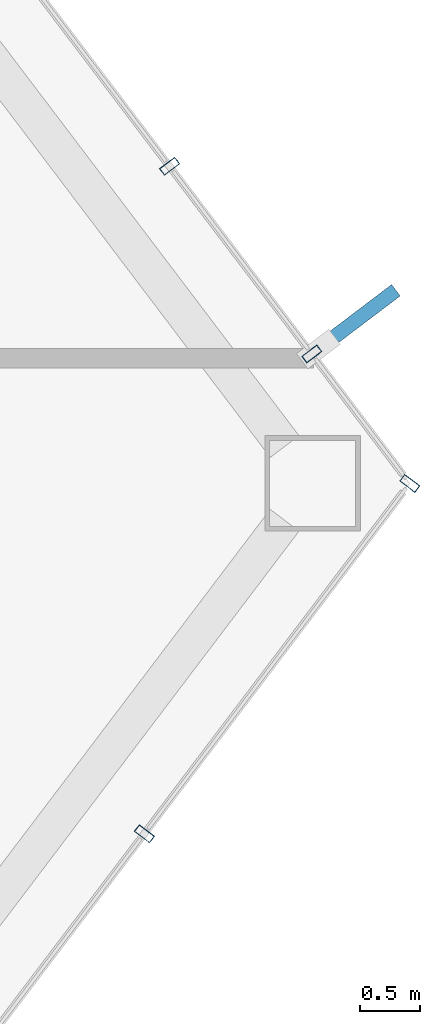
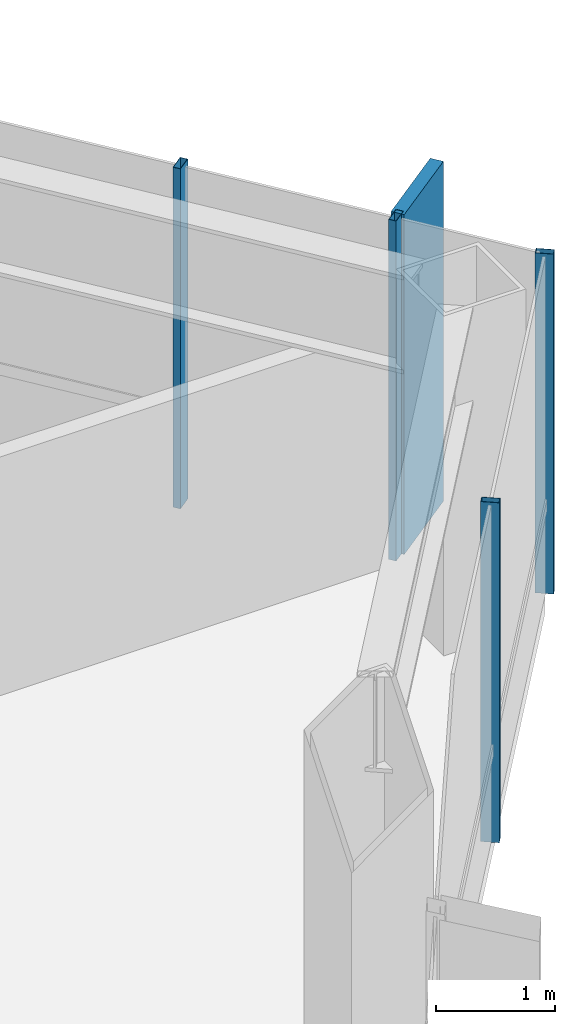
# One storey, part 21 of 28: 5 members, 2 elements without a shape of their own.
"""IFC4 building model written with IfcOpenShell, lengths in metres."""

from ifc_helpers import new_model, si_unit, direction, frame, origin, origin_2d, place, context, subcontext, project, spatial, rectangle, hollow_rectangle, extrude, material, layer, layer_set, material_profile, profile_set, type_object, element, aggregate, save


model = new_model("IFC4")

# Units and contexts
model_context = context("Model", 3, precision=1e-05, world=origin(), true_north=direction((0.0, 1.0)))
body_context = subcontext(model_context, "Body", "Model", "MODEL_VIEW")
ifc_project = project(units=[si_unit("LENGTHUNIT", "METRE"), si_unit("AREAUNIT", "SQUARE_METRE"), si_unit("VOLUMEUNIT", "CUBIC_METRE"), si_unit("PLANEANGLEUNIT", "RADIAN"), si_unit("MASSUNIT", "GRAM", prefix="KILO")], contexts=[model_context])

# Site, building, storey
site_placement = place(None, origin())
site = spatial("IfcSite", under=ifc_project, at=site_placement, CompositionType="ELEMENT")
building_placement = place(site_placement, origin())
building = spatial("IfcBuilding", under=site, at=building_placement, Name="Zarrinselat Tower", CompositionType="ELEMENT")
storey_placement = place(building_placement, frame((0.0, 0.0, 123.419921875)))
storey = spatial("IfcBuildingStorey", under=building, at=storey_placement, Name="L29", CompositionType="ELEMENT", Elevation=123.419921875)

# Curtain wall, members
ifc_material_1 = material(Name="Extruded Aluminium Alloy EN AW-6063 T6", Category="aluminium")
ifc_layer = layer(ifc_material_1, 0.175048828125)
ifc_layer_set = layer_set([ifc_layer], Name="Extruded Aluminium Alloy EN AW-6063 T6")
curtain_wall_type = type_object("IfcCurtainWallType", Name="CWS-HTL", PredefinedType="NOTDEFINED", material=ifc_layer_set)
curtain_wall_1_placement = place(storey_placement, origin())
curtain_wall_1 = element("IfcCurtainWall", 1, at=curtain_wall_1_placement, inside=storey, type_object=curtain_wall_type, Name="L29 Unitised Curtain Wall CW-L29-E05", PredefinedType="NOTDEFINED")
ifc_material_2 = material(Name="Extruded Aluminium Alloy EN AW-6063 T6", Category="aluminium")
ifc_material_profile_1 = material_profile(ifc_material_2, hollow_rectangle(XDim=0.070068359375, YDim=0.159912109375, WallThickness=0.00390625, at=origin_2d()), Name="RHS 160x70x4")
ifc_profile_set_1 = profile_set([ifc_material_profile_1], Name="Extruded Aluminium Alloy EN AW-6063 T6")
member_type_1 = type_object("IfcMemberType", Name="MEM-CW-MUL2", PredefinedType="MULLION", material=ifc_profile_set_1)
member_1_placement = place(storey_placement, frame((60.570556640625, 35.69189453125, 0.0), z_axis=(0.0, 0.0, 1.0), x_axis=(0.603858135777, 0.797091808926, 0.0)))
member_1 = element("IfcMember", 2, at=member_1_placement, type_object=member_type_1, Name="CW-L29-E05 Mullion 6", PredefinedType="MULLION", context=body_context, shape_type="SweptSolid", body=[
    extrude(hollow_rectangle(XDim=0.070068359375, YDim=0.159912109375, WallThickness=0.00390625, at=origin_2d()), origin(), (0.0, 0.0, 1.0), 3.5),
])
member_2_placement = place(storey_placement, frame((62.796142578125, 38.62939453125, 0.0), z_axis=(0.0, 0.0, 1.0), x_axis=(0.603858135777, 0.797091808926, 0.0)))
member_2 = element("IfcMember", 3, at=member_2_placement, type_object=member_type_1, Name="CW-L29-E05 Mullion 7", PredefinedType="MULLION", context=body_context, shape_type="SweptSolid", body=[
    extrude(hollow_rectangle(XDim=0.070068359375, YDim=0.159912109375, WallThickness=0.00390625, at=origin_2d()), origin(), (0.0, 0.0, 1.0), 3.5),
])
aggregate(curtain_wall_1, [member_1, member_2])

curtain_wall_2_placement = place(storey_placement, origin())
curtain_wall_2 = element("IfcCurtainWall", 4, at=curtain_wall_2_placement, inside=storey, type_object=curtain_wall_type, Name="L29 Unitised Curtain Wall CW-L29-E06", PredefinedType="NOTDEFINED")
member_3_placement = place(storey_placement, frame((61.97412109375, 39.714599609375, 0.0), z_axis=(0.0, 0.0, 1.0), x_axis=(-0.603858409354, 0.79709160167, 0.0)))
member_3 = element("IfcMember", 5, at=member_3_placement, type_object=member_type_1, Name="CW-L29-E06 Mullion 1", PredefinedType="MULLION", context=body_context, shape_type="SweptSolid", body=[
    extrude(hollow_rectangle(XDim=0.070068359375, YDim=0.159912109375, WallThickness=0.00390625, at=origin_2d()), origin(), (0.0, 0.0, 1.0), 3.5),
])
member_4_placement = place(storey_placement, frame((60.781494140625, 41.288818359375, 0.0), z_axis=(0.0, 0.0, 1.0), x_axis=(-0.603858409354, 0.79709160167, 0.0)))
member_4 = element("IfcMember", 6, at=member_4_placement, type_object=member_type_1, Name="CW-L29-E06 Mullion 2", PredefinedType="MULLION", context=body_context, shape_type="SweptSolid", body=[
    extrude(hollow_rectangle(XDim=0.070068359375, YDim=0.159912109375, WallThickness=0.00390625, at=origin_2d()), origin(), (0.0, 0.0, 1.0), 3.5),
])
ifc_material_3 = material(Name="Honed Cream Travertine Stone", Category="masonry")
ifc_material_profile_2 = material_profile(ifc_material_3, rectangle(XDim=0.1201171875, YDim=0.85009765625, at=origin_2d()), Name="FIN 850x120")
ifc_profile_set_2 = profile_set([ifc_material_profile_2], Name="Honed Cream Travertine Stone")
member_type_2 = type_object("IfcMemberType", Name="MEM-STONE-FIN", PredefinedType="USERDEFINED", material=ifc_profile_set_2)
member_5_placement = place(storey_placement, frame((62.3408203125, 39.992431640625, 0.0), z_axis=(0.0, 0.0, 1.0), x_axis=(0.603858409354, -0.79709160167, 0.0)))
member_5 = element("IfcMember", 7, at=member_5_placement, type_object=member_type_2, Name="L29 Stone Shading Fin CW-L29-E06-01", ObjectType="FIN", PredefinedType="USERDEFINED", context=body_context, shape_type="SweptSolid", body=[
    extrude(rectangle(XDim=0.1201171875, YDim=0.85009765625, at=origin_2d()), origin(), (0.0, 0.0, 1.0), 3.5),
])
aggregate(curtain_wall_2, [member_3, member_5, member_4])

save(model, "model.ifc")
